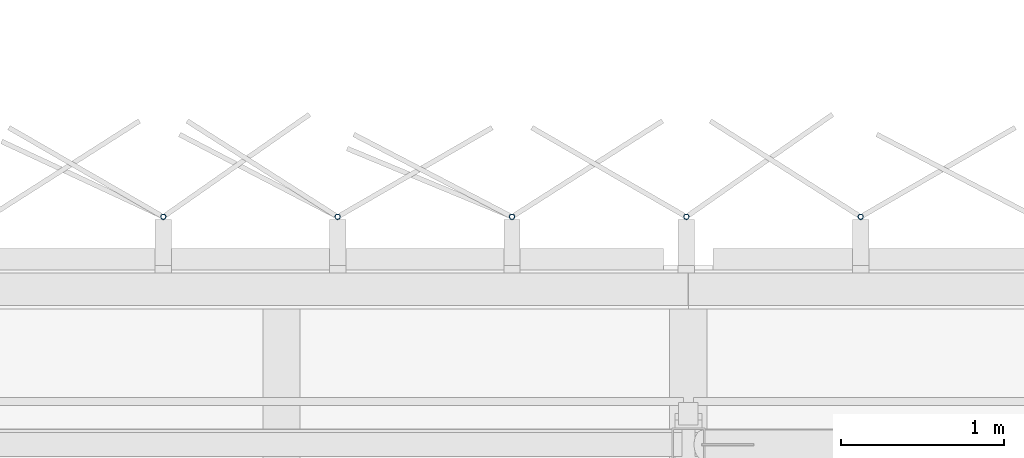
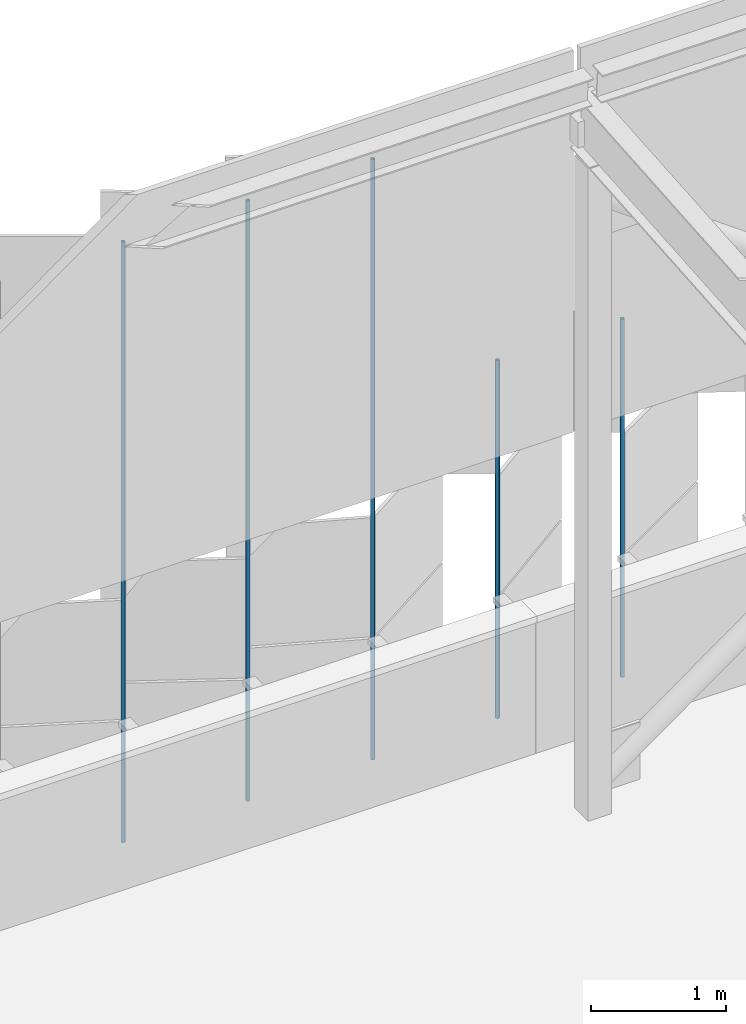
# One storey, part 337 of 483: 5 discrete accessories.
"""IFC4 building model written with IfcOpenShell, lengths in metres."""

from ifc_helpers import new_model, si_unit, direction, frame, origin, origin_2d, place, context, subcontext, project, spatial, hollow_circle, extrude, material, material_profile, profile_set, type_object, element, save


model = new_model("IFC4")

# Units and contexts
model_context = context("Model", 3, precision=1e-05, world=origin(), true_north=direction((0.0, 1.0)))
body_context = subcontext(model_context, "Body", "Model", "MODEL_VIEW")
ifc_project = project(units=[si_unit("LENGTHUNIT", "METRE"), si_unit("AREAUNIT", "SQUARE_METRE"), si_unit("VOLUMEUNIT", "CUBIC_METRE"), si_unit("PLANEANGLEUNIT", "RADIAN"), si_unit("MASSUNIT", "GRAM", prefix="KILO")], contexts=[model_context])

# Site, building, storey
site_placement = place(None, origin())
site = spatial("IfcSite", under=ifc_project, at=site_placement, CompositionType="ELEMENT")
building_placement = place(site_placement, origin())
building = spatial("IfcBuilding", under=site, at=building_placement, Name="Parallax Yard Mobility Hub", CompositionType="ELEMENT")
storey_placement = place(building_placement, frame((0.0, 0.0, 13.199951171875)))
storey = spatial("IfcBuildingStorey", under=building, at=storey_placement, Name="L04", CompositionType="ELEMENT", Elevation=13.199951171875)

# Discrete accessories
ifc_material = material(Name="Steel ASTM A500 Gr C, hot-dip galvanised", Category="steel")
ifc_material_profile = material_profile(ifc_material, hollow_circle(Radius=0.016845703125, WallThickness=0.003173828125, at=origin_2d()), Name="CHS 33.7x3.2")
ifc_profile_set = profile_set([ifc_material_profile], Name="Steel ASTM A500 Gr C, hot-dip galvanised")
discrete_accessory_type = type_object("IfcDiscreteAccessoryType", Name="Hinge post CHS 33.7x3.2", PredefinedType="BRACKET", material=ifc_profile_set)
for number, where, z_axis, x_axis, name in (
    (1, (53.55908203125, 142.800048828125, 0.0), (0.0, 0.0, 1.0), (1.0, 0.0, 0.0), "Hinge post bay 66.7 level L04"),
    (2, (52.48779296875, 142.800048828125, 0.0), (0.0, 0.0, 1.0), (1.0, 0.0, 0.0), "Hinge post bay 67.1 level L04"),
):
    element("IfcDiscreteAccessory", number, at=place(storey_placement, frame(where, z_axis=z_axis, x_axis=x_axis)), inside=storey, type_object=discrete_accessory_type, Name=name, PredefinedType="BRACKET", context=body_context, shape_type="SweptSolid", body=[
        extrude(hollow_circle(Radius=0.016845703125, WallThickness=0.003173828125, at=origin_2d()), origin(), (0.0, 0.0, 1.0), 3.25),
    ])
for number, where, z_axis, x_axis, name in (
    (3, (51.416015625, 142.800048828125, 0.0), (0.0, 0.0, 1.0), (1.0, 0.0, 0.0), "Hinge post bay 67.2 level L04"),
    (4, (50.344482421875, 142.800048828125, 0.0), (0.0, 0.0, 1.0), (1.0, 0.0, 0.0), "Hinge post bay 67.3 level L04"),
    (5, (49.27294921875, 142.800048828125, 0.0), (0.0, 0.0, 1.0), (1.0, 0.0, 0.0), "Hinge post bay 67.4 level L04"),
):
    element("IfcDiscreteAccessory", number, at=place(storey_placement, frame(where, z_axis=z_axis, x_axis=x_axis)), inside=storey, type_object=discrete_accessory_type, Name=name, PredefinedType="BRACKET", context=body_context, shape_type="SweptSolid", body=[
        extrude(hollow_circle(Radius=0.016845703125, WallThickness=0.003173828125, at=origin_2d()), origin(), (0.0, 0.0, 1.0), 5.449951171875),
    ])

save(model, "model.ifc")
